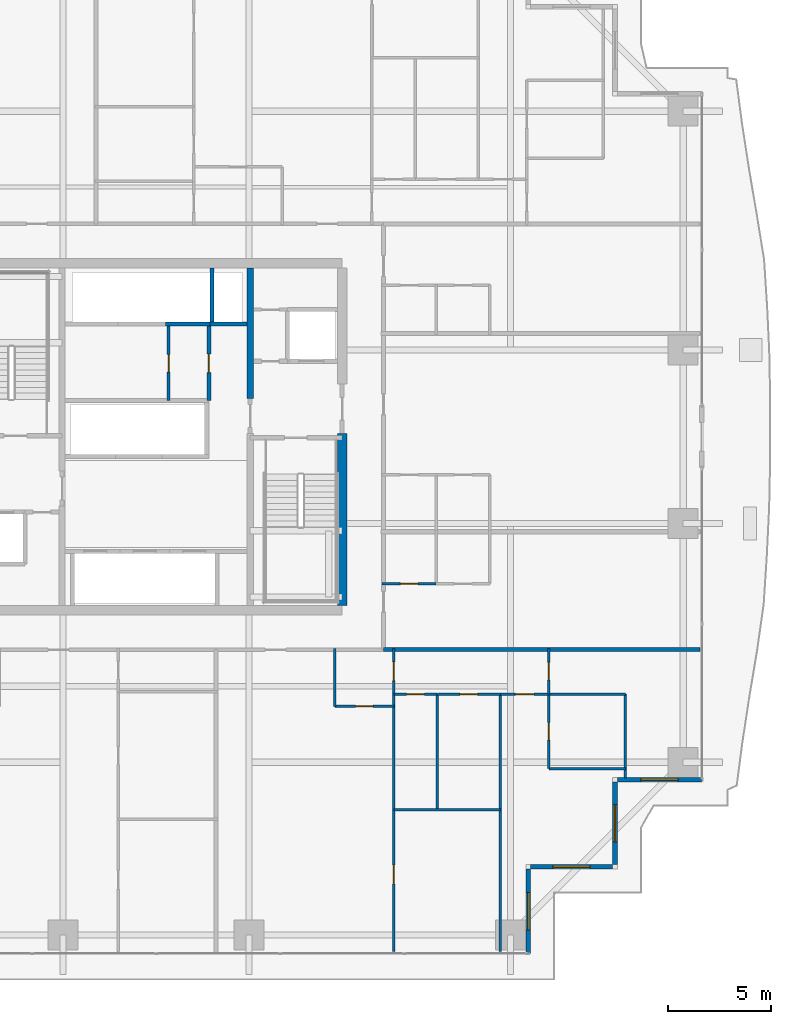
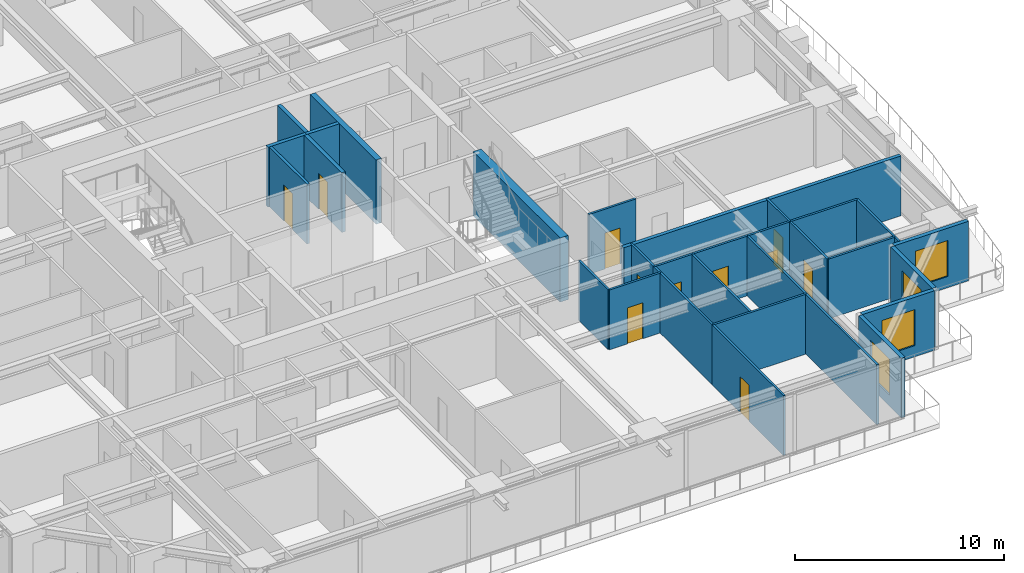
# One storey, part 29 of 38: 29 walls, 11 doors, 4 windows, 15 openings.
"""IFC4 building model written with IfcOpenShell, lengths in metres."""

from ifc_helpers import new_model, si_unit, direction, frame, frame_2d, origin, place, context, subcontext, project, spatial, rectangle, extrude, source, transform, mapped, material, layer, layer_set, type_object, element, fill, save


model = new_model("IFC4")

# Units and contexts
model_context = context("Model", 3, precision=1e-05, world=origin(), true_north=direction((0.0, 1.0)))
body_context = subcontext(model_context, "Body", "Model", "MODEL_VIEW")
ifc_project = project(units=[si_unit("LENGTHUNIT", "METRE"), si_unit("AREAUNIT", "SQUARE_METRE"), si_unit("VOLUMEUNIT", "CUBIC_METRE"), si_unit("PLANEANGLEUNIT", "RADIAN"), si_unit("MASSUNIT", "GRAM", prefix="KILO")], contexts=[model_context])

# Site, building, storey
site_placement = place(None, origin())
site = spatial("IfcSite", under=ifc_project, at=site_placement, CompositionType="ELEMENT")
building_placement = place(site_placement, origin())
building = spatial("IfcBuilding", under=site, at=building_placement, Name="Serunith Strait Residences", CompositionType="ELEMENT")
storey_placement = place(building_placement, frame((0.0, 0.0, 82.949951171875)))
storey = spatial("IfcBuildingStorey", under=building, at=storey_placement, Name="L20", CompositionType="ELEMENT", Elevation=82.949951171875)

# Wall, opening, window
ifc_material_1 = material(Name="Pale-Champagne Aluminium Insulated Panel", Category="aluminium")
ifc_layer_1 = layer(ifc_material_1, 0.219970703125, Name="Pale-Champagne Aluminium Insulated Panel")
ifc_layer_set_1 = layer_set([ifc_layer_1], Name="Pale-Champagne Aluminium Insulated Panel")
wall_type_1 = type_object("IfcWallType", Name="EW-ALUM-220", PredefinedType="ELEMENTEDWALL", material=ifc_layer_set_1)
wall_1_placement = place(storey_placement, frame((50.39990234375, 0.199951171875, 0.0), z_axis=(0.0, 0.0, 1.0), x_axis=(0.0, 1.0, 0.0)))
wall_1 = element("IfcWall", 1, at=wall_1_placement, inside=storey, type_object=wall_type_1, Name="L20 Girih Serrated Corner Wall 02", PredefinedType="ELEMENTEDWALL", context=body_context, shape_type="SweptSolid", body=[
    extrude(rectangle(XDim=4.090087890625, YDim=0.219970703125, at=frame_2d((2.044921875, 0.0))), origin(), (0.0, 0.0, 1.0), 3.47509765625),
])
opening_1_placement = place(wall_1_placement, frame((1.14501953125, 0.0, 0.64990234375)))
opening_1 = element("IfcOpeningElement", 2, at=opening_1_placement, cuts=wall_1, Name="Opening W-01", PredefinedType="OPENING", context=body_context, shape_type="SweptSolid", body=[
    extrude(rectangle(XDim=1.800048828125, YDim=2.10009765625, at=frame_2d((0.89990234375, 1.050048828125))), frame((0.0, 0.1201171875, 0.0), z_axis=(0.0, -1.0, 0.0), x_axis=(1.0, 0.0, 0.0)), (0.0, 0.0, 1.0), 0.239990234375),
])
ifc_material_2 = material(Name="Ceramic-Fritted Operable Aluminium Window Glass", Category="aluminium")
window_type = type_object("IfcWindowType", Name="WIN-C1", PartitioningType="DOUBLE_PANEL_VERTICAL", PredefinedType="WINDOW", material=ifc_material_2)
shared_shape_1 = source(origin(), body_context, "Body", "SweptSolid", [
    extrude(rectangle(XDim=1.800048828125, YDim=2.10009765625, at=frame_2d((0.89990234375, 1.050048828125))), frame((0.0, 0.030029296875, 0.0), z_axis=(0.0, -1.0, 0.0), x_axis=(1.0, 0.0, 0.0)), (0.0, 0.0, 1.0), 0.06005859375),
])
window_1_placement = place(opening_1_placement, origin())
window_1 = element("IfcWindow", 3, at=window_1_placement, inside=storey, type_object=window_type, Name="L20 Corner Operable Fritted Window 02", OverallHeight=2.10009765625, OverallWidth=1.800048828125, PartitioningType="SINGLE_PANEL", PredefinedType="WINDOW", context=body_context, shape_type="MappedRepresentation", body=[
    mapped(shared_shape_1, transform((0.0, 0.0, 0.0), scale=1.0)),
])
fill(opening_1, window_1)

wall_2_placement = place(storey_placement, frame((50.510009765625, 4.39990234375, 0.0), z_axis=(0.0, 0.0, 1.0), x_axis=(1.0, 0.0, 0.0)))
wall_2 = element("IfcWall", 4, at=wall_2_placement, inside=storey, type_object=wall_type_1, Name="L20 Girih Serrated Corner Wall 03", PredefinedType="ELEMENTEDWALL", context=body_context, shape_type="SweptSolid", body=[
    extrude(rectangle(XDim=3.97998046875, YDim=0.219970703125, at=frame_2d((1.989990234375, 0.0))), origin(), (0.0, 0.0, 1.0), 3.47509765625),
])
opening_2_placement = place(wall_2_placement, frame((1.090087890625, 0.0, 0.64990234375)))
opening_2 = element("IfcOpeningElement", 5, at=opening_2_placement, cuts=wall_2, Name="Opening W-01", PredefinedType="OPENING", context=body_context, shape_type="SweptSolid", body=[
    extrude(rectangle(XDim=1.800048828125, YDim=2.10009765625, at=frame_2d((0.89990234375, 1.050048828125))), frame((0.0, 0.1201171875, 0.0), z_axis=(0.0, -1.0, 0.0), x_axis=(1.0, 0.0, 0.0)), (0.0, 0.0, 1.0), 0.239990234375),
])
window_2_placement = place(opening_2_placement, origin())
window_2 = element("IfcWindow", 6, at=window_2_placement, inside=storey, type_object=window_type, Name="L20 Corner Operable Fritted Window 03", OverallHeight=2.10009765625, OverallWidth=1.800048828125, PartitioningType="SINGLE_PANEL", PredefinedType="WINDOW", context=body_context, shape_type="MappedRepresentation", body=[
    mapped(shared_shape_1, transform((0.0, 0.0, 0.0), scale=1.0)),
])
fill(opening_2, window_2)

wall_3_placement = place(storey_placement, frame((54.60009765625, 4.510009765625, 0.0), z_axis=(0.0, 0.0, 1.0), x_axis=(0.0, 1.0, 0.0)))
wall_3 = element("IfcWall", 7, at=wall_3_placement, inside=storey, type_object=wall_type_1, Name="L20 Girih Serrated Corner Wall 04", PredefinedType="ELEMENTEDWALL", context=body_context, shape_type="SweptSolid", body=[
    extrude(rectangle(XDim=3.97998046875, YDim=0.219970703125, at=frame_2d((1.989990234375, 0.0))), origin(), (0.0, 0.0, 1.0), 3.47509765625),
])
opening_3_placement = place(wall_3_placement, frame((1.090087890625, 0.0, 0.64990234375)))
opening_3 = element("IfcOpeningElement", 8, at=opening_3_placement, cuts=wall_3, Name="Opening W-01", PredefinedType="OPENING", context=body_context, shape_type="SweptSolid", body=[
    extrude(rectangle(XDim=1.800048828125, YDim=2.10009765625, at=frame_2d((0.89990234375, 1.050048828125))), frame((0.0, 0.1201171875, 0.0), z_axis=(0.0, -1.0, 0.0), x_axis=(1.0, 0.0, 0.0)), (0.0, 0.0, 1.0), 0.239990234375),
])
window_3_placement = place(opening_3_placement, origin())
window_3 = element("IfcWindow", 9, at=window_3_placement, inside=storey, type_object=window_type, Name="L20 Corner Operable Fritted Window 04", OverallHeight=2.10009765625, OverallWidth=1.800048828125, PartitioningType="SINGLE_PANEL", PredefinedType="WINDOW", context=body_context, shape_type="MappedRepresentation", body=[
    mapped(shared_shape_1, transform((0.0, 0.0, 0.0), scale=1.0)),
])
fill(opening_3, window_3)

wall_4_placement = place(storey_placement, frame((54.7099609375, 8.60009765625, 0.0), z_axis=(0.0, 0.0, 1.0), x_axis=(1.0, 0.0, 0.0)))
wall_4 = element("IfcWall", 10, at=wall_4_placement, inside=storey, type_object=wall_type_1, Name="L20 Girih Serrated Corner Wall 05", PredefinedType="ELEMENTEDWALL", context=body_context, shape_type="SweptSolid", body=[
    extrude(rectangle(XDim=4.090087890625, YDim=0.219970703125, at=frame_2d((2.044921875, 0.0))), origin(), (0.0, 0.0, 1.0), 3.47509765625),
])
opening_4_placement = place(wall_4_placement, frame((1.14501953125, 0.0, 0.64990234375)))
opening_4 = element("IfcOpeningElement", 11, at=opening_4_placement, cuts=wall_4, Name="Opening W-01", PredefinedType="OPENING", context=body_context, shape_type="SweptSolid", body=[
    extrude(rectangle(XDim=1.800048828125, YDim=2.10009765625, at=frame_2d((0.89990234375, 1.050048828125))), frame((0.0, 0.1201171875, 0.0), z_axis=(0.0, -1.0, 0.0), x_axis=(1.0, 0.0, 0.0)), (0.0, 0.0, 1.0), 0.239990234375),
])
window_4_placement = place(opening_4_placement, origin())
window_4 = element("IfcWindow", 12, at=window_4_placement, inside=storey, type_object=window_type, Name="L20 Corner Operable Fritted Window 05", OverallHeight=2.10009765625, OverallWidth=1.800048828125, PartitioningType="SINGLE_PANEL", PredefinedType="WINDOW", context=body_context, shape_type="MappedRepresentation", body=[
    mapped(shared_shape_1, transform((0.0, 0.0, 0.0), scale=1.0)),
])
fill(opening_4, window_4)

# Wall, opening, door
ifc_material_3 = material(Name="Fire-rated masonry service closet wall", Category="masonry")
ifc_layer_2 = layer(ifc_material_3, 0.14990234375, Name="Fire-rated masonry service closet wall")
ifc_layer_set_2 = layer_set([ifc_layer_2], Name="Fire-rated masonry service closet wall")
wall_type_2 = type_object("IfcWallType", Name="IW-BOH-150", PredefinedType="PARTITIONING", material=ifc_layer_set_2)
wall_5_placement = place(storey_placement, frame((33.0, 26.949951171875, 0.0), z_axis=(0.0, 0.0, 1.0), x_axis=(0.0, 1.0, 0.0)))
wall_5 = element("IfcWall", 13, at=wall_5_placement, inside=storey, type_object=wall_type_2, Name="L20 Partition Wall 014", PredefinedType="PARTITIONING", context=body_context, shape_type="SweptSolid", body=[
    extrude(rectangle(XDim=3.60009765625, YDim=0.14990234375, at=frame_2d((1.800048828125, 0.0))), origin(), (0.0, 0.0, 1.0), 3.489990234375),
])
opening_5_placement = place(wall_5_placement, frame((1.375, 0.0, 0.0)))
opening_5 = element("IfcOpeningElement", 14, at=opening_5_placement, cuts=wall_5, Name="Opening FD-850", PredefinedType="OPENING", context=body_context, shape_type="SweptSolid", body=[
    extrude(rectangle(XDim=0.85009765625, YDim=2.10009765625, at=frame_2d((0.425048828125, 1.050048828125))), frame((0.0, 0.0849609375, 0.0), z_axis=(0.0, -1.0, 0.0), x_axis=(1.0, 0.0, 0.0)), (0.0, 0.0, 1.0), 0.169921875),
])
ifc_material_4 = material(Name="Powder-coated steel service closet door", Category="steel")
door_type_1 = type_object("IfcDoorType", Name="FD-BOH-850", OperationType="NOTDEFINED", PredefinedType="DOOR", material=ifc_material_4)
shared_shape_2 = source(origin(), body_context, "Body", "SweptSolid", [
    extrude(rectangle(XDim=0.85009765625, YDim=2.10009765625, at=frame_2d((0.425048828125, 1.050048828125))), frame((0.0, 0.02490234375, 0.0), z_axis=(0.0, -1.0, 0.0), x_axis=(1.0, 0.0, 0.0)), (0.0, 0.0, 1.0), 0.050048828125),
])
door_1_placement = place(opening_5_placement, origin())
door_1 = element("IfcDoor", 15, at=door_1_placement, inside=storey, type_object=door_type_1, Name="L20 LV Switchgear Door", OperationType="SINGLE_SWING_RIGHT", OverallHeight=2.10009765625, OverallWidth=0.85009765625, PredefinedType="DOOR", context=body_context, shape_type="MappedRepresentation", body=[
    mapped(shared_shape_2, transform((0.0, 0.0, 0.0), scale=1.0)),
])
fill(opening_5, door_1)

ifc_material_5 = material(Name="Lightweight steel-stud gypsum partition", Category="steel")
ifc_layer_3 = layer(ifc_material_5, 0.1201171875, Name="Lightweight steel-stud gypsum partition")
ifc_layer_set_3 = layer_set([ifc_layer_3], Name="Lightweight steel-stud gypsum partition")
wall_type_3 = type_object("IfcWallType", Name="IW-PART-120", PredefinedType="PARTITIONING", material=ifc_layer_set_3)
wall_6_placement = place(storey_placement, frame((41.050048828125, 12.14990234375, 0.0), z_axis=(0.0, 0.0, 1.0), x_axis=(1.0, 0.0, 0.0)))
wall_6 = element("IfcWall", 16, at=wall_6_placement, inside=storey, type_object=wall_type_3, Name="L20 Partition Wall 049", PredefinedType="PARTITIONING", context=body_context, shape_type="SweptSolid", body=[
    extrude(rectangle(XDim=2.849853515625, YDim=0.1201171875, at=frame_2d((1.4248046875, 0.0))), origin(), (0.0, 0.0, 1.0), 3.489990234375),
])
opening_6_placement = place(wall_6_placement, frame((1.0, 0.0, 0.0)))
opening_6 = element("IfcOpeningElement", 17, at=opening_6_placement, cuts=wall_6, Name="Opening D-RM850", PredefinedType="OPENING", context=body_context, shape_type="SweptSolid", body=[
    extrude(rectangle(XDim=0.85009765625, YDim=2.10009765625, at=frame_2d((0.425048828125, 1.050048828125))), frame((0.0, 0.070068359375, 0.0), z_axis=(0.0, -1.0, 0.0), x_axis=(1.0, 0.0, 0.0)), (0.0, 0.0, 1.0), 0.14013671875),
])
ifc_material_6 = material(Name="Engineered timber flush study and kitchen door", Category="wood")
door_type_2 = type_object("IfcDoorType", Name="ID-ROOM-850", OperationType="NOTDEFINED", PredefinedType="DOOR", material=ifc_material_6)
door_2_placement = place(opening_6_placement, origin())
door_2 = element("IfcDoor", 18, at=door_2_placement, inside=storey, type_object=door_type_2, Name="L20 Kitchen 2002 Door", OperationType="SINGLE_SWING_RIGHT", OverallHeight=2.10009765625, OverallWidth=0.85009765625, PredefinedType="DOOR", context=body_context, shape_type="MappedRepresentation", body=[
    mapped(shared_shape_2, transform((0.0, 0.0, 0.0), scale=1.0)),
])
fill(opening_6, door_2)

# Wall
wall_7_placement = place(storey_placement, frame((41.050048828125, 12.14990234375, 0.0), z_axis=(0.0, 0.0, 1.0), x_axis=(0.0, 1.0, 0.0)))
element("IfcWall", 19, at=wall_7_placement, inside=storey, type_object=wall_type_3, Name="L20 Partition Wall 050", PredefinedType="PARTITIONING", context=body_context, shape_type="SweptSolid", body=[
    extrude(rectangle(XDim=2.81005859375, YDim=0.1201171875, at=frame_2d((1.405029296875, 0.0))), origin(), (0.0, 0.0, 1.0), 3.489990234375),
])

# Wall, opening, door
wall_8_placement = place(storey_placement, frame((43.89990234375, 12.75, 0.0), z_axis=(0.0, 0.0, 1.0), x_axis=(0.0, 1.0, 0.0)))
wall_8 = element("IfcWall", 20, at=wall_8_placement, inside=storey, type_object=wall_type_3, Name="L20 Partition Wall 051", PredefinedType="PARTITIONING", context=body_context, shape_type="SweptSolid", body=[
    extrude(rectangle(XDim=2.2099609375, YDim=0.1201171875, at=frame_2d((1.10498046875, 0.0))), origin(), (0.0, 0.0, 1.0), 3.489990234375),
])
opening_7_placement = place(wall_8_placement, frame((0.655029296875, 0.0, 0.0)))
opening_7 = element("IfcOpeningElement", 21, at=opening_7_placement, cuts=wall_8, Name="Opening D-RM900", PredefinedType="OPENING", context=body_context, shape_type="SweptSolid", body=[
    extrude(rectangle(XDim=0.89990234375, YDim=2.10009765625, at=frame_2d((0.449951171875, 1.050048828125))), frame((0.0, 0.070068359375, 0.0), z_axis=(0.0, -1.0, 0.0), x_axis=(1.0, 0.0, 0.0)), (0.0, 0.0, 1.0), 0.14013671875),
])
ifc_material_7 = material(Name="Engineered timber flush bedroom door", Category="wood")
door_type_3 = type_object("IfcDoorType", Name="ID-ROOM-900", OperationType="NOTDEFINED", PredefinedType="DOOR", material=ifc_material_7)
shared_shape_3 = source(origin(), body_context, "Body", "SweptSolid", [
    extrude(rectangle(XDim=0.89990234375, YDim=2.10009765625, at=frame_2d((0.449951171875, 1.050048828125))), frame((0.0, 0.02490234375, 0.0), z_axis=(0.0, -1.0, 0.0), x_axis=(1.0, 0.0, 0.0)), (0.0, 0.0, 1.0), 0.050048828125),
])
door_3_placement = place(opening_7_placement, origin())
door_3 = element("IfcDoor", 22, at=door_3_placement, inside=storey, type_object=door_type_3, Name="L20 Hall E 2002 Door", OperationType="SINGLE_SWING_LEFT", OverallHeight=2.10009765625, OverallWidth=0.89990234375, PredefinedType="DOOR", context=body_context, shape_type="MappedRepresentation", body=[
    mapped(shared_shape_3, transform((0.0, 0.0, 0.0), scale=1.0)),
])
fill(opening_7, door_3)

wall_9_placement = place(storey_placement, frame((43.89990234375, 0.294921875, 0.0), z_axis=(0.0, 0.0, 1.0), x_axis=(0.0, 1.0, 0.0)))
wall_9 = element("IfcWall", 23, at=wall_9_placement, inside=storey, type_object=wall_type_3, Name="L20 Partition Wall 052", PredefinedType="PARTITIONING", context=body_context, shape_type="SweptSolid", body=[
    extrude(rectangle(XDim=6.85107421875, YDim=0.1201171875, at=frame_2d((3.425537109375, 0.0))), origin(), (0.0, 0.0, 1.0), 3.489990234375),
])
opening_8_placement = place(wall_9_placement, frame((3.27294921875, 0.0, 0.0)))
opening_8 = element("IfcOpeningElement", 24, at=opening_8_placement, cuts=wall_9, Name="Opening D-RM900", PredefinedType="OPENING", context=body_context, shape_type="SweptSolid", body=[
    extrude(rectangle(XDim=0.89990234375, YDim=2.10009765625, at=frame_2d((0.449951171875, 1.050048828125))), frame((0.0, 0.070068359375, 0.0), z_axis=(0.0, -1.0, 0.0), x_axis=(1.0, 0.0, 0.0)), (0.0, 0.0, 1.0), 0.14013671875),
])
door_4_placement = place(opening_8_placement, origin())
door_4 = element("IfcDoor", 25, at=door_4_placement, inside=storey, type_object=door_type_3, Name="L20 Formal Dining Room 1 2002 Door", OperationType="SINGLE_SWING_RIGHT", OverallHeight=2.10009765625, OverallWidth=0.89990234375, PredefinedType="DOOR", context=body_context, shape_type="MappedRepresentation", body=[
    mapped(shared_shape_3, transform((0.0, 0.0, 0.0), scale=1.0)),
])
fill(opening_8, door_4)

# Walls
wall_10_placement = place(storey_placement, frame((43.89990234375, 7.14794921875, 0.0), z_axis=(0.0, 0.0, 1.0), x_axis=(0.0, 1.0, 0.0)))
element("IfcWall", 26, at=wall_10_placement, inside=storey, type_object=wall_type_3, Name="L20 Partition Wall 053", PredefinedType="PARTITIONING", context=body_context, shape_type="SweptSolid", body=[
    extrude(rectangle(XDim=5.60009765625, YDim=0.1201171875, at=frame_2d((2.800048828125, 0.0))), origin(), (0.0, 0.0, 1.0), 3.489990234375),
])
wall_11_placement = place(storey_placement, frame((43.89990234375, 7.14599609375, 0.0), z_axis=(0.0, 0.0, 1.0), x_axis=(1.0, 0.0, 0.0)))
element("IfcWall", 27, at=wall_11_placement, inside=storey, type_object=wall_type_3, Name="L20 Partition Wall 054", PredefinedType="PARTITIONING", context=body_context, shape_type="SweptSolid", body=[
    extrude(rectangle(XDim=5.150146484375, YDim=0.1201171875, at=frame_2d((2.5751953125, 0.0))), origin(), (0.0, 0.0, 1.0), 3.489990234375),
])
wall_12_placement = place(storey_placement, frame((49.050048828125, 0.294921875, 0.0), z_axis=(0.0, 0.0, 1.0), x_axis=(0.0, 1.0, 0.0)))
element("IfcWall", 28, at=wall_12_placement, inside=storey, type_object=wall_type_3, Name="L20 Partition Wall 055", PredefinedType="PARTITIONING", context=body_context, shape_type="SweptSolid", body=[
    extrude(rectangle(XDim=12.455078125, YDim=0.1201171875, at=frame_2d((6.2275390625, 0.0))), origin(), (0.0, 0.0, 1.0), 3.489990234375),
])
wall_13_placement = place(storey_placement, frame((46.0, 7.14599609375, 0.0), z_axis=(0.0, 0.0, 1.0), x_axis=(0.0, 1.0, 0.0)))
element("IfcWall", 29, at=wall_13_placement, inside=storey, type_object=wall_type_3, Name="L20 Partition Wall 056", PredefinedType="PARTITIONING", context=body_context, shape_type="SweptSolid", body=[
    extrude(rectangle(XDim=5.60400390625, YDim=0.1201171875, at=frame_2d((2.802001953125, 0.0))), origin(), (0.0, 0.0, 1.0), 3.489990234375),
])

# Wall, opening, door
wall_14_placement = place(storey_placement, frame((43.89990234375, 12.75, 0.0), z_axis=(0.0, 0.0, 1.0), x_axis=(1.0, 0.0, 0.0)))
wall_14 = element("IfcWall", 30, at=wall_14_placement, inside=storey, type_object=wall_type_3, Name="L20 Partition Wall 057", PredefinedType="PARTITIONING", context=body_context, shape_type="SweptSolid", body=[
    extrude(rectangle(XDim=2.10009765625, YDim=0.1201171875, at=frame_2d((1.050048828125, 0.0))), origin(), (0.0, 0.0, 1.0), 3.489990234375),
])
opening_9_placement = place(wall_14_placement, frame((0.625, 0.0, 0.0)))
opening_9 = element("IfcOpeningElement", 31, at=opening_9_placement, cuts=wall_14, Name="Opening D-BTH850", PredefinedType="OPENING", context=body_context, shape_type="SweptSolid", body=[
    extrude(rectangle(XDim=0.85009765625, YDim=2.10009765625, at=frame_2d((0.425048828125, 1.050048828125))), frame((0.0, 0.070068359375, 0.0), z_axis=(0.0, -1.0, 0.0), x_axis=(1.0, 0.0, 0.0)), (0.0, 0.0, 1.0), 0.14013671875),
])
ifc_material_8 = material(Name="Moisture-resistant timber bathroom door", Category="wood")
door_type_4 = type_object("IfcDoorType", Name="ID-BATH-850", OperationType="NOTDEFINED", PredefinedType="DOOR", material=ifc_material_8)
door_5_placement = place(opening_9_placement, origin())
door_5 = element("IfcDoor", 32, at=door_5_placement, inside=storey, type_object=door_type_4, Name="L20 Bathroom 2002 Door", OperationType="SINGLE_SWING_LEFT", OverallHeight=2.10009765625, OverallWidth=0.85009765625, PredefinedType="DOOR", context=body_context, shape_type="MappedRepresentation", body=[
    mapped(shared_shape_2, transform((0.0, 0.0, 0.0), scale=1.0)),
])
fill(opening_9, door_5)

wall_15_placement = place(storey_placement, frame((46.001953125, 12.75, 0.0), z_axis=(0.0, 0.0, 1.0), x_axis=(1.0, 0.0, 0.0)))
wall_15 = element("IfcWall", 33, at=wall_15_placement, inside=storey, type_object=wall_type_3, Name="L20 Partition Wall 058", PredefinedType="PARTITIONING", context=body_context, shape_type="SweptSolid", body=[
    extrude(rectangle(XDim=3.048095703125, YDim=0.1201171875, at=frame_2d((1.52392578125, 0.0))), origin(), (0.0, 0.0, 1.0), 3.489990234375),
])
opening_10_placement = place(wall_15_placement, frame((1.09912109375, 0.0, 0.0)))
opening_10 = element("IfcOpeningElement", 34, at=opening_10_placement, cuts=wall_15, Name="Opening D-RM850", PredefinedType="OPENING", context=body_context, shape_type="SweptSolid", body=[
    extrude(rectangle(XDim=0.85009765625, YDim=2.10009765625, at=frame_2d((0.425048828125, 1.050048828125))), frame((0.0, 0.070068359375, 0.0), z_axis=(0.0, -1.0, 0.0), x_axis=(1.0, 0.0, 0.0)), (0.0, 0.0, 1.0), 0.14013671875),
])
door_6_placement = place(opening_10_placement, origin())
door_6 = element("IfcDoor", 35, at=door_6_placement, inside=storey, type_object=door_type_2, Name="L20 Laundry Room 2002 Door", OperationType="SINGLE_SWING_RIGHT", OverallHeight=2.10009765625, OverallWidth=0.85009765625, PredefinedType="DOOR", context=body_context, shape_type="MappedRepresentation", body=[
    mapped(shared_shape_2, transform((0.0, 0.0, 0.0), scale=1.0)),
])
fill(opening_10, door_6)

wall_16_placement = place(storey_placement, frame((49.052001953125, 12.75, 0.0), z_axis=(0.0, 0.0, 1.0), x_axis=(1.0, 0.0, 0.0)))
wall_16 = element("IfcWall", 36, at=wall_16_placement, inside=storey, type_object=wall_type_3, Name="L20 Partition Wall 059", PredefinedType="PARTITIONING", context=body_context, shape_type="SweptSolid", body=[
    extrude(rectangle(XDim=2.347900390625, YDim=0.1201171875, at=frame_2d((1.173828125, 0.0))), origin(), (0.0, 0.0, 1.0), 3.489990234375),
])
opening_11_placement = place(wall_16_placement, frame((0.72412109375, 0.0, 0.0)))
opening_11 = element("IfcOpeningElement", 37, at=opening_11_placement, cuts=wall_16, Name="Opening D-RM900", PredefinedType="OPENING", context=body_context, shape_type="SweptSolid", body=[
    extrude(rectangle(XDim=0.89990234375, YDim=2.10009765625, at=frame_2d((0.449951171875, 1.050048828125))), frame((0.0, 0.070068359375, 0.0), z_axis=(0.0, -1.0, 0.0), x_axis=(1.0, 0.0, 0.0)), (0.0, 0.0, 1.0), 0.14013671875),
])
door_7_placement = place(opening_11_placement, origin())
door_7 = element("IfcDoor", 38, at=door_7_placement, inside=storey, type_object=door_type_3, Name="L20 Master Bedroom E 2002 Door", OperationType="SINGLE_SWING_LEFT", OverallHeight=2.10009765625, OverallWidth=0.89990234375, PredefinedType="DOOR", context=body_context, shape_type="MappedRepresentation", body=[
    mapped(shared_shape_3, transform((0.0, 0.0, 0.0), scale=1.0)),
])
fill(opening_11, door_7)

# Walls
wall_17_placement = place(storey_placement, frame((51.39990234375, 9.137939453125, 0.0), z_axis=(0.0, 0.0, 1.0), x_axis=(1.0, 0.0, 0.0)))
element("IfcWall", 39, at=wall_17_placement, inside=storey, type_object=wall_type_3, Name="L20 Partition Wall 060", PredefinedType="PARTITIONING", context=body_context, shape_type="SweptSolid", body=[
    extrude(rectangle(XDim=3.7001953125, YDim=0.1201171875, at=frame_2d((1.85009765625, 0.0))), origin(), (0.0, 0.0, 1.0), 3.489990234375),
])
wall_18_placement = place(storey_placement, frame((55.10009765625, 8.695068359375, 0.0), z_axis=(0.0, 0.0, 1.0), x_axis=(0.0, 1.0, 0.0)))
element("IfcWall", 40, at=wall_18_placement, inside=storey, type_object=wall_type_3, Name="L20 Partition Wall 061", PredefinedType="PARTITIONING", context=body_context, shape_type="SweptSolid", body=[
    extrude(rectangle(XDim=4.054931640625, YDim=0.1201171875, at=frame_2d((2.02734375, 0.0))), origin(), (0.0, 0.0, 1.0), 3.489990234375),
])
wall_19_placement = place(storey_placement, frame((51.402099609375, 12.75, 0.0), z_axis=(0.0, 0.0, 1.0), x_axis=(1.0, 0.0, 0.0)))
element("IfcWall", 41, at=wall_19_placement, inside=storey, type_object=wall_type_3, Name="L20 Partition Wall 062", PredefinedType="PARTITIONING", context=body_context, shape_type="SweptSolid", body=[
    extrude(rectangle(XDim=3.697998046875, YDim=0.1201171875, at=frame_2d((1.84912109375, 0.0))), origin(), (0.0, 0.0, 1.0), 3.489990234375),
])

# Wall, opening, door
wall_20_placement = place(storey_placement, frame((51.39990234375, 9.137939453125, 0.0), z_axis=(0.0, 0.0, 1.0), x_axis=(0.0, 1.0, 0.0)))
wall_20 = element("IfcWall", 42, at=wall_20_placement, inside=storey, type_object=wall_type_3, Name="L20 Partition Wall 063", PredefinedType="PARTITIONING", context=body_context, shape_type="SweptSolid", body=[
    extrude(rectangle(XDim=3.612060546875, YDim=0.1201171875, at=frame_2d((1.80615234375, 0.0))), origin(), (0.0, 0.0, 1.0), 3.489990234375),
])
opening_12_placement = place(wall_20_placement, frame((1.381103515625, 0.0, 0.0)))
opening_12 = element("IfcOpeningElement", 43, at=opening_12_placement, cuts=wall_20, Name="Opening D-BTH850", PredefinedType="OPENING", context=body_context, shape_type="SweptSolid", body=[
    extrude(rectangle(XDim=0.85009765625, YDim=2.10009765625, at=frame_2d((0.425048828125, 1.050048828125))), frame((0.0, 0.070068359375, 0.0), z_axis=(0.0, -1.0, 0.0), x_axis=(1.0, 0.0, 0.0)), (0.0, 0.0, 1.0), 0.14013671875),
])
door_8_placement = place(opening_12_placement, origin())
door_8 = element("IfcDoor", 44, at=door_8_placement, inside=storey, type_object=door_type_4, Name="L20 En-suite Bathroom E 2002 Door", OperationType="SINGLE_SWING_RIGHT", OverallHeight=2.10009765625, OverallWidth=0.85009765625, PredefinedType="DOOR", context=body_context, shape_type="MappedRepresentation", body=[
    mapped(shared_shape_2, transform((0.0, 0.0, 0.0), scale=1.0)),
])
fill(opening_12, door_8)

wall_21_placement = place(storey_placement, frame((51.39990234375, 12.751953125, 0.0), z_axis=(0.0, 0.0, 1.0), x_axis=(0.0, 1.0, 0.0)))
wall_21 = element("IfcWall", 45, at=wall_21_placement, inside=storey, type_object=wall_type_3, Name="L20 Partition Wall 064", PredefinedType="PARTITIONING", context=body_context, shape_type="SweptSolid", body=[
    extrude(rectangle(XDim=2.2080078125, YDim=0.1201171875, at=frame_2d((1.10400390625, 0.0))), origin(), (0.0, 0.0, 1.0), 3.489990234375),
])
opening_13_placement = place(wall_21_placement, frame((0.678955078125, 0.0, 0.0)))
opening_13 = element("IfcOpeningElement", 46, at=opening_13_placement, cuts=wall_21, Name="Opening D-RM850", PredefinedType="OPENING", context=body_context, shape_type="SweptSolid", body=[
    extrude(rectangle(XDim=0.85009765625, YDim=2.10009765625, at=frame_2d((0.425048828125, 1.050048828125))), frame((0.0, 0.070068359375, 0.0), z_axis=(0.0, -1.0, 0.0), x_axis=(1.0, 0.0, 0.0)), (0.0, 0.0, 1.0), 0.14013671875),
])
door_9_placement = place(opening_13_placement, origin())
door_9 = element("IfcDoor", 47, at=door_9_placement, inside=storey, type_object=door_type_2, Name="L20 Wardrobe E 2002 Door", OperationType="SINGLE_SWING_LEFT", OverallHeight=2.10009765625, OverallWidth=0.85009765625, PredefinedType="DOOR", context=body_context, shape_type="MappedRepresentation", body=[
    mapped(shared_shape_2, transform((0.0, 0.0, 0.0), scale=1.0)),
])
fill(opening_13, door_9)

wall_22_placement = place(storey_placement, frame((45.947998046875, 18.090087890625, 0.0), z_axis=(0.0, 0.0, 1.0), x_axis=(-1.0, 0.0, 0.0)))
wall_22 = element("IfcWall", 48, at=wall_22_placement, inside=storey, type_object=wall_type_3, Name="L20 Partition Wall 120", PredefinedType="PARTITIONING", context=body_context, shape_type="SweptSolid", body=[
    extrude(rectangle(XDim=2.60791015625, YDim=0.1201171875, at=frame_2d((1.303955078125, 0.0))), origin(), (0.0, 0.0, 1.0), 3.489990234375),
])
opening_14_placement = place(wall_22_placement, frame((0.87890625, 0.0, 0.0)))
opening_14 = element("IfcOpeningElement", 49, at=opening_14_placement, cuts=wall_22, Name="Opening D-BTH850", PredefinedType="OPENING", context=body_context, shape_type="SweptSolid", body=[
    extrude(rectangle(XDim=0.85009765625, YDim=2.10009765625, at=frame_2d((0.425048828125, 1.050048828125))), frame((0.0, 0.070068359375, 0.0), z_axis=(0.0, -1.0, 0.0), x_axis=(1.0, 0.0, 0.0)), (0.0, 0.0, 1.0), 0.14013671875),
])
door_10_placement = place(opening_14_placement, origin())
door_10 = element("IfcDoor", 50, at=door_10_placement, inside=storey, type_object=door_type_4, Name="L20 Bathroom 2006 Door", OperationType="SINGLE_SWING_RIGHT", OverallHeight=2.10009765625, OverallWidth=0.85009765625, PredefinedType="DOOR", context=body_context, shape_type="MappedRepresentation", body=[
    mapped(shared_shape_2, transform((0.0, 0.0, 0.0), scale=1.0)),
])
fill(opening_14, door_10)

# Walls
ifc_material_9 = material(Name="Twin-stud acoustic gypsum board partition")
ifc_layer_4 = layer(ifc_material_9, 0.199951171875, Name="Twin-stud acoustic gypsum board partition")
ifc_layer_set_4 = layer_set([ifc_layer_4], Name="Twin-stud acoustic gypsum board partition")
wall_type_4 = type_object("IfcWallType", Name="IW-PARTY-200", PredefinedType="PARTITIONING", material=ifc_layer_set_4)
wall_23_placement = place(storey_placement, frame((43.39990234375, 14.89990234375, 0.0), z_axis=(0.0, 0.0, 1.0), x_axis=(1.0, 0.0, 0.0)))
element("IfcWall", 51, at=wall_23_placement, inside=storey, type_object=wall_type_4, Name="L20 Partition Wall 020", PredefinedType="PARTITIONING", context=body_context, shape_type="SweptSolid", body=[
    extrude(rectangle(XDim=15.318115234375, YDim=0.199951171875, at=frame_2d((7.6591796875, 0.0))), origin(), (0.0, 0.0, 1.0), 3.489990234375),
])
ifc_material_10 = material(Name="Autoclaved aerated concrete blockwork", Category="masonry")
ifc_layer_5 = layer(ifc_material_10, 0.199951171875, Name="Autoclaved aerated concrete blockwork")
ifc_layer_set_5 = layer_set([ifc_layer_5], Name="Autoclaved aerated concrete blockwork")
wall_type_5 = type_object("IfcWallType", Name="IW-SHAFT-200", PredefinedType="STANDARD", material=ifc_layer_set_5)
wall_24_placement = place(storey_placement, frame((32.85009765625, 30.64990234375, 0.0), z_axis=(0.0, 0.0, 1.0), x_axis=(1.0, 0.0, 0.0)))
element("IfcWall", 52, at=wall_24_placement, inside=storey, type_object=wall_type_5, Name="L20 PL-9 South Shaft Wall", PredefinedType="STANDARD", context=body_context, shape_type="SweptSolid", body=[
    extrude(rectangle(XDim=2.14990234375, YDim=0.199951171875, at=frame_2d((1.074951171875, 0.0))), origin(), (0.0, 0.0, 1.0), 3.489990234375),
])
wall_25_placement = place(storey_placement, frame((35.0, 30.64990234375, 0.0), z_axis=(0.0, 0.0, 1.0), x_axis=(1.0, 0.0, 0.0)))
element("IfcWall", 53, at=wall_25_placement, inside=storey, type_object=wall_type_5, Name="L20 SL-1 South Shaft Wall", PredefinedType="STANDARD", context=body_context, shape_type="SweptSolid", body=[
    extrude(rectangle(XDim=1.800048828125, YDim=0.199951171875, at=frame_2d((0.89990234375, 0.0))), origin(), (0.0, 0.0, 1.0), 3.489990234375),
])
wall_26_placement = place(storey_placement, frame((35.10009765625, 30.75, 0.0), z_axis=(0.0, 0.0, 1.0), x_axis=(0.0, 1.0, 0.0)))
element("IfcWall", 54, at=wall_26_placement, inside=storey, type_object=wall_type_5, Name="L20 SL-1 West Shaft Wall", PredefinedType="STANDARD", context=body_context, shape_type="SweptSolid", body=[
    extrude(rectangle(XDim=2.625, YDim=0.199951171875, at=frame_2d((1.3125, 0.0))), origin(), (0.0, 0.0, 1.0), 3.489990234375),
])

# Wall, opening, door
wall_27_placement = place(storey_placement, frame((34.949951171875, 26.949951171875, 0.0), z_axis=(0.0, 0.0, 1.0), x_axis=(0.0, 1.0, 0.0)))
wall_27 = element("IfcWall", 55, at=wall_27_placement, inside=storey, type_object=wall_type_5, Name="L20 Partition Wall 013", PredefinedType="STANDARD", context=body_context, shape_type="SweptSolid", body=[
    extrude(rectangle(XDim=3.60009765625, YDim=0.199951171875, at=frame_2d((1.800048828125, 0.0))), origin(), (0.0, 0.0, 1.0), 3.489990234375),
])
opening_15_placement = place(wall_27_placement, frame((1.35009765625, 0.0, 0.0)))
opening_15 = element("IfcOpeningElement", 56, at=opening_15_placement, cuts=wall_27, Name="Opening FD-900", PredefinedType="OPENING", context=body_context, shape_type="SweptSolid", body=[
    extrude(rectangle(XDim=0.89990234375, YDim=2.10009765625, at=frame_2d((0.449951171875, 1.050048828125))), frame((0.0, 0.10986328125, 0.0), z_axis=(0.0, -1.0, 0.0), x_axis=(1.0, 0.0, 0.0)), (0.0, 0.0, 1.0), 0.219970703125),
])
ifc_material_11 = material(Name="Powder-coated steel riser door", Category="steel")
door_type_5 = type_object("IfcDoorType", Name="FD-BOH-900", OperationType="NOTDEFINED", PredefinedType="DOOR", material=ifc_material_11)
door_11_placement = place(opening_15_placement, origin())
door_11 = element("IfcDoor", 57, at=door_11_placement, inside=storey, type_object=door_type_5, Name="L20 Meter Plant Door", OperationType="SINGLE_SWING_LEFT", OverallHeight=2.10009765625, OverallWidth=0.89990234375, PredefinedType="DOOR", context=body_context, shape_type="MappedRepresentation", body=[
    mapped(shared_shape_3, transform((0.0, 0.0, 0.0), scale=1.0)),
])
fill(opening_15, door_11)

# Walls
ifc_material_12 = material(Name="Concrete C80/95", Category="concrete")
ifc_layer_6 = layer(ifc_material_12, 0.300048828125, Name="Concrete C80/95")
ifc_layer_set_6 = layer_set([ifc_layer_6], Name="Concrete C80/95")
wall_type_6 = type_object("IfcWallType", Name="SW-300-C80", PredefinedType="SHEAR", material=ifc_layer_set_6)
wall_28_placement = place(storey_placement, frame((36.949951171875, 27.050048828125, -0.260009765625), z_axis=(0.0, 0.0, 1.0), x_axis=(0.0, 1.0, 0.0)))
element("IfcWall", 58, at=wall_28_placement, inside=storey, type_object=wall_type_6, Name="L20 Core Internal East Web North Pier", PredefinedType="SHEAR", context=body_context, shape_type="SweptSolid", body=[
    extrude(rectangle(XDim=6.324951171875, YDim=0.300048828125, at=frame_2d((3.16259765625, 0.0))), origin(), (0.0, 0.0, 1.0), 3.748046875),
])
ifc_layer_7 = layer(ifc_material_12, 0.449951171875, Name="Concrete C80/95")
ifc_layer_set_7 = layer_set([ifc_layer_7], Name="Concrete C80/95")
wall_type_7 = type_object("IfcWallType", Name="SW-450-C80", PredefinedType="SHEAR", material=ifc_layer_set_7)
wall_29_placement = place(storey_placement, frame((41.39990234375, 17.02490234375, -0.260009765625), z_axis=(0.0, 0.0, 1.0), x_axis=(0.0, 1.0, 0.0)))
element("IfcWall", 59, at=wall_29_placement, inside=storey, type_object=wall_type_7, Name="L20 Core East Shear Wall South Pier", PredefinedType="SHEAR", context=body_context, shape_type="SweptSolid", body=[
    extrude(rectangle(XDim=8.3251953125, YDim=0.449951171875, at=frame_2d((4.16259765625, 0.0))), origin(), (0.0, 0.0, 1.0), 3.748046875),
])

save(model, "model.ifc")
